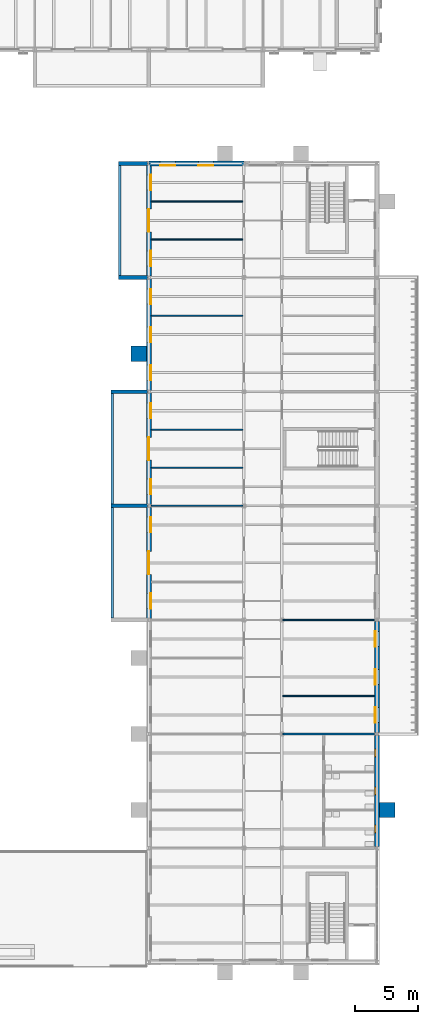
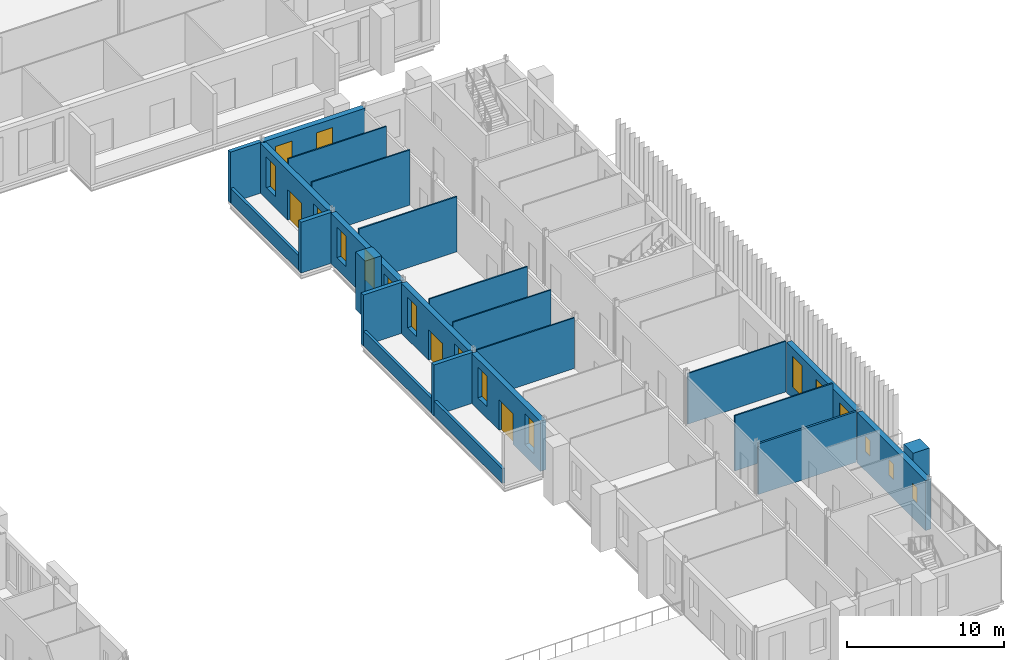
# One storey, part 88 of 134: 25 walls, 17 windows, 3 doors, 20 openings.
"""IFC4 building model written with IfcOpenShell, lengths in metres."""

from ifc_helpers import new_model, si_unit, direction, frame, frame_2d, origin, place, context, subcontext, project, spatial, rectangle, extrude, material, layer, layer_set, type_object, element, fill, save


model = new_model("IFC4")

# Units and contexts
model_context = context("Model", 3, precision=1e-05, world=origin(), true_north=direction((0.0, 1.0)))
body_context = subcontext(model_context, "Body", "Model", "MODEL_VIEW")
ifc_project = project(units=[si_unit("LENGTHUNIT", "METRE"), si_unit("AREAUNIT", "SQUARE_METRE"), si_unit("VOLUMEUNIT", "CUBIC_METRE"), si_unit("PLANEANGLEUNIT", "RADIAN"), si_unit("MASSUNIT", "GRAM", prefix="KILO")], contexts=[model_context])

# Site, building, storey
site_placement = place(None, origin())
site = spatial("IfcSite", under=ifc_project, at=site_placement, CompositionType="ELEMENT")
building_placement = place(site_placement, origin())
building = spatial("IfcBuilding", under=site, at=building_placement, Name="Golden Quay Civic Hall", CompositionType="ELEMENT")
storey_placement = place(building_placement, frame((0.0, 0.0, 5.39990234375)))
storey = spatial("IfcBuildingStorey", under=building, at=storey_placement, Name="L01", CompositionType="ELEMENT", Elevation=5.39990234375)

# Walls
ifc_material_1 = material(Name="Brick, dark clay facing", Category="masonry")
ifc_layer_1 = layer(ifc_material_1, 0.199951171875)
ifc_layer_set_1 = layer_set([ifc_layer_1], Name="Brick balustrade wall 200")
wall_type_1 = type_object("IfcWallType", Name="Brick balustrade wall 200", PredefinedType="STANDARD", material=ifc_layer_set_1)
for number, where, z_axis, x_axis, name in (
    (1, (150.1201171875, 18.14990234375, 0.0), (0.0, 0.0, 1.0), (0.0, 1.0, 0.0), "Brick balustrade wall 200 L01 4"),
    (2, (150.1201171875, 27.14990234375, 0.0), (0.0, 0.0, 1.0), (0.0, 1.0, 0.0), "Brick balustrade wall 200 L01 5"),
    (3, (150.719970703125, 45.14990234375, 0.0), (0.0, 0.0, 1.0), (0.0, 1.0, 0.0), "Brick balustrade wall 200 L01 6"),
):
    element("IfcWall", number, at=place(storey_placement, frame(where, z_axis=z_axis, x_axis=x_axis)), inside=storey, type_object=wall_type_1, Name=name, PredefinedType="STANDARD", context=body_context, shape_type="SweptSolid", body=[
        extrude(rectangle(XDim=8.7001953125, YDim=0.199951171875, at=frame_2d((4.35009765625, 0.0))), origin(), (0.0, 0.0, 1.0), 1.150146484375),
    ])

# Wall, openings, door, windows
ifc_material_2 = material(Name="Brick, dark clay facing", Category="masonry")
ifc_layer_2 = layer(ifc_material_2, 0.39990234375)
ifc_layer_set_2 = layer_set([ifc_layer_2], Name="Brick external wall 400")
wall_type_2 = type_object("IfcWallType", Name="Brick external wall 400", PredefinedType="STANDARD", material=ifc_layer_set_2)
wall_1_placement = place(storey_placement, frame((153.0, 18.114990234375, 0.0), z_axis=(0.0, 0.0, 1.0), x_axis=(0.0, 1.0, 0.0)))
wall_1 = element("IfcWall", 4, at=wall_1_placement, inside=storey, type_object=wall_type_2, Name="Brick external wall 400 L01 14", PredefinedType="STANDARD", context=body_context, shape_type="SweptSolid", body=[
    extrude(rectangle(XDim=8.77001953125, YDim=0.39990234375, at=frame_2d((4.385009765625, 0.0))), origin(), (0.0, 0.0, 1.0), 3.900146484375),
])
opening_1_placement = place(wall_1_placement, frame((3.485107421875, 0.0, 0.0)))
opening_1 = element("IfcOpeningElement", 5, at=opening_1_placement, cuts=wall_1, Name="Opening L01-D008", PredefinedType="OPENING", context=body_context, shape_type="SweptSolid", body=[
    extrude(rectangle(XDim=1.800048828125, YDim=2.39990234375, at=frame_2d((0.89990234375, 1.199951171875))), frame((0.0, 0.2099609375, 0.0), z_axis=(0.0, -1.0, 0.0), x_axis=(1.0, 0.0, 0.0)), (0.0, 0.0, 1.0), 0.419921875),
])
opening_2_placement = place(wall_1_placement, frame((0.784912109375, 0.0, 0.89990234375)))
opening_2 = element("IfcOpeningElement", 6, at=opening_2_placement, cuts=wall_1, Name="Opening WN7", PredefinedType="OPENING", context=body_context, shape_type="SweptSolid", body=[
    extrude(rectangle(XDim=1.199951171875, YDim=2.39990234375, at=frame_2d((0.60009765625, 1.199951171875))), frame((0.0, 0.2099609375, 0.0), z_axis=(0.0, -1.0, 0.0), x_axis=(1.0, 0.0, 0.0)), (0.0, 0.0, 1.0), 0.419921875),
])
opening_3_placement = place(wall_1_placement, frame((6.784912109375, 0.0, 0.89990234375)))
opening_3 = element("IfcOpeningElement", 7, at=opening_3_placement, cuts=wall_1, Name="Opening WN7", PredefinedType="OPENING", context=body_context, shape_type="SweptSolid", body=[
    extrude(rectangle(XDim=1.199951171875, YDim=2.39990234375, at=frame_2d((0.60009765625, 1.199951171875))), frame((0.0, 0.2099609375, 0.0), z_axis=(0.0, -1.0, 0.0), x_axis=(1.0, 0.0, 0.0)), (0.0, 0.0, 1.0), 0.419921875),
])
ifc_material_3 = material(Name="Aluminium frame, glazed", Category="aluminium")
door_type = type_object("IfcDoorType", Name="Glazed double terrace door 1800 x 2400", OperationType="DOUBLE_DOOR_SINGLE_SWING", PredefinedType="DOOR", material=ifc_material_3)
door_1_placement = place(opening_1_placement, origin())
door_1 = element("IfcDoor", 8, at=door_1_placement, inside=storey, type_object=door_type, Name="Door L01-D008", OperationType="DOUBLE_DOOR_SINGLE_SWING", OverallHeight=2.39990234375, OverallWidth=1.800048828125, PredefinedType="DOOR", context=body_context, shape_type="SweptSolid", body=[
    extrude(rectangle(XDim=1.800048828125, YDim=2.39990234375, at=frame_2d((0.89990234375, 1.199951171875))), frame((0.0, 0.02490234375, 0.0), z_axis=(0.0, -1.0, 0.0), x_axis=(1.0, 0.0, 0.0)), (0.0, 0.0, 1.0), 0.050048828125),
])
fill(opening_1, door_1)
ifc_material_4 = material(Name="Aluminium frame, double glazed", Category="aluminium")
window_type_1 = type_object("IfcWindowType", Name="Window 1200 x 2400", PartitioningType="SINGLE_PANEL", PredefinedType="WINDOW", material=ifc_material_4)
window_1_placement = place(opening_2_placement, origin())
window_1 = element("IfcWindow", 9, at=window_1_placement, inside=storey, type_object=window_type_1, Name="Window 1200 x 2400 L01 30", OverallHeight=2.39990234375, OverallWidth=1.199951171875, PartitioningType="SINGLE_PANEL", PredefinedType="WINDOW", context=body_context, shape_type="SweptSolid", body=[
    extrude(rectangle(XDim=1.199951171875, YDim=2.39990234375, at=frame_2d((0.60009765625, 1.199951171875))), frame((0.0, -0.119873046875, 0.0), z_axis=(0.0, -1.0, 0.0), x_axis=(1.0, 0.0, 0.0)), (0.0, 0.0, 1.0), 0.06005859375),
])
fill(opening_2, window_1)
window_2_placement = place(opening_3_placement, origin())
window_2 = element("IfcWindow", 10, at=window_2_placement, inside=storey, type_object=window_type_1, Name="Window 1200 x 2400 L01 31", OverallHeight=2.39990234375, OverallWidth=1.199951171875, PartitioningType="SINGLE_PANEL", PredefinedType="WINDOW", context=body_context, shape_type="SweptSolid", body=[
    extrude(rectangle(XDim=1.199951171875, YDim=2.39990234375, at=frame_2d((0.60009765625, 1.199951171875))), frame((0.0, -0.119873046875, 0.0), z_axis=(0.0, -1.0, 0.0), x_axis=(1.0, 0.0, 0.0)), (0.0, 0.0, 1.0), 0.06005859375),
])
fill(opening_3, window_2)

wall_2_placement = place(storey_placement, frame((153.0, 27.114990234375, 0.0), z_axis=(0.0, 0.0, 1.0), x_axis=(0.0, 1.0, 0.0)))
wall_2 = element("IfcWall", 11, at=wall_2_placement, inside=storey, type_object=wall_type_2, Name="Brick external wall 400 L01 15", PredefinedType="STANDARD", context=body_context, shape_type="SweptSolid", body=[
    extrude(rectangle(XDim=8.77001953125, YDim=0.39990234375, at=frame_2d((4.385009765625, 0.0))), origin(), (0.0, 0.0, 1.0), 3.900146484375),
])
opening_4_placement = place(wall_2_placement, frame((3.485107421875, 0.0, 0.0)))
opening_4 = element("IfcOpeningElement", 12, at=opening_4_placement, cuts=wall_2, Name="Opening L01-D009", PredefinedType="OPENING", context=body_context, shape_type="SweptSolid", body=[
    extrude(rectangle(XDim=1.800048828125, YDim=2.39990234375, at=frame_2d((0.89990234375, 1.199951171875))), frame((0.0, 0.2099609375, 0.0), z_axis=(0.0, -1.0, 0.0), x_axis=(1.0, 0.0, 0.0)), (0.0, 0.0, 1.0), 0.419921875),
])
opening_5_placement = place(wall_2_placement, frame((0.784912109375, 0.0, 0.89990234375)))
opening_5 = element("IfcOpeningElement", 13, at=opening_5_placement, cuts=wall_2, Name="Opening WN7", PredefinedType="OPENING", context=body_context, shape_type="SweptSolid", body=[
    extrude(rectangle(XDim=1.199951171875, YDim=2.39990234375, at=frame_2d((0.60009765625, 1.199951171875))), frame((0.0, 0.2099609375, 0.0), z_axis=(0.0, -1.0, 0.0), x_axis=(1.0, 0.0, 0.0)), (0.0, 0.0, 1.0), 0.419921875),
])
opening_6_placement = place(wall_2_placement, frame((6.784912109375, 0.0, 0.89990234375)))
opening_6 = element("IfcOpeningElement", 14, at=opening_6_placement, cuts=wall_2, Name="Opening WN7", PredefinedType="OPENING", context=body_context, shape_type="SweptSolid", body=[
    extrude(rectangle(XDim=1.199951171875, YDim=2.39990234375, at=frame_2d((0.60009765625, 1.199951171875))), frame((0.0, 0.2099609375, 0.0), z_axis=(0.0, -1.0, 0.0), x_axis=(1.0, 0.0, 0.0)), (0.0, 0.0, 1.0), 0.419921875),
])
door_2_placement = place(opening_4_placement, origin())
door_2 = element("IfcDoor", 15, at=door_2_placement, inside=storey, type_object=door_type, Name="Door L01-D009", OperationType="DOUBLE_DOOR_SINGLE_SWING", OverallHeight=2.39990234375, OverallWidth=1.800048828125, PredefinedType="DOOR", context=body_context, shape_type="SweptSolid", body=[
    extrude(rectangle(XDim=1.800048828125, YDim=2.39990234375, at=frame_2d((0.89990234375, 1.199951171875))), frame((0.0, 0.02490234375, 0.0), z_axis=(0.0, -1.0, 0.0), x_axis=(1.0, 0.0, 0.0)), (0.0, 0.0, 1.0), 0.050048828125),
])
fill(opening_4, door_2)
window_3_placement = place(opening_5_placement, origin())
window_3 = element("IfcWindow", 16, at=window_3_placement, inside=storey, type_object=window_type_1, Name="Window 1200 x 2400 L01 32", OverallHeight=2.39990234375, OverallWidth=1.199951171875, PartitioningType="SINGLE_PANEL", PredefinedType="WINDOW", context=body_context, shape_type="SweptSolid", body=[
    extrude(rectangle(XDim=1.199951171875, YDim=2.39990234375, at=frame_2d((0.60009765625, 1.199951171875))), frame((0.0, -0.119873046875, 0.0), z_axis=(0.0, -1.0, 0.0), x_axis=(1.0, 0.0, 0.0)), (0.0, 0.0, 1.0), 0.06005859375),
])
fill(opening_5, window_3)
window_4_placement = place(opening_6_placement, origin())
window_4 = element("IfcWindow", 17, at=window_4_placement, inside=storey, type_object=window_type_1, Name="Window 1200 x 2400 L01 33", OverallHeight=2.39990234375, OverallWidth=1.199951171875, PartitioningType="SINGLE_PANEL", PredefinedType="WINDOW", context=body_context, shape_type="SweptSolid", body=[
    extrude(rectangle(XDim=1.199951171875, YDim=2.39990234375, at=frame_2d((0.60009765625, 1.199951171875))), frame((0.0, -0.119873046875, 0.0), z_axis=(0.0, -1.0, 0.0), x_axis=(1.0, 0.0, 0.0)), (0.0, 0.0, 1.0), 0.06005859375),
])
fill(opening_6, window_4)

# Wall, openings, windows
wall_3_placement = place(storey_placement, frame((153.0, 36.114990234375, 0.0), z_axis=(0.0, 0.0, 1.0), x_axis=(0.0, 1.0, 0.0)))
wall_3 = element("IfcWall", 18, at=wall_3_placement, inside=storey, type_object=wall_type_2, Name="Brick external wall 400 L01 16", PredefinedType="STANDARD", context=body_context, shape_type="SweptSolid", body=[
    extrude(rectangle(XDim=8.77001953125, YDim=0.39990234375, at=frame_2d((4.385009765625, 0.0))), origin(), (0.0, 0.0, 1.0), 3.900146484375),
])
opening_7_placement = place(wall_3_placement, frame((0.784912109375, 0.0, 0.89990234375)))
opening_7 = element("IfcOpeningElement", 19, at=opening_7_placement, cuts=wall_3, Name="Opening WN7", PredefinedType="OPENING", context=body_context, shape_type="SweptSolid", body=[
    extrude(rectangle(XDim=1.199951171875, YDim=2.39990234375, at=frame_2d((0.60009765625, 1.199951171875))), frame((0.0, 0.2099609375, 0.0), z_axis=(0.0, -1.0, 0.0), x_axis=(1.0, 0.0, 0.0)), (0.0, 0.0, 1.0), 0.419921875),
])
opening_8_placement = place(wall_3_placement, frame((3.784912109375, 0.0, 0.89990234375)))
opening_8 = element("IfcOpeningElement", 20, at=opening_8_placement, cuts=wall_3, Name="Opening WN7", PredefinedType="OPENING", context=body_context, shape_type="SweptSolid", body=[
    extrude(rectangle(XDim=1.199951171875, YDim=2.39990234375, at=frame_2d((0.60009765625, 1.199951171875))), frame((0.0, 0.2099609375, 0.0), z_axis=(0.0, -1.0, 0.0), x_axis=(1.0, 0.0, 0.0)), (0.0, 0.0, 1.0), 0.419921875),
])
opening_9_placement = place(wall_3_placement, frame((6.784912109375, 0.0, 0.89990234375)))
opening_9 = element("IfcOpeningElement", 21, at=opening_9_placement, cuts=wall_3, Name="Opening WN7", PredefinedType="OPENING", context=body_context, shape_type="SweptSolid", body=[
    extrude(rectangle(XDim=1.199951171875, YDim=2.39990234375, at=frame_2d((0.60009765625, 1.199951171875))), frame((0.0, 0.2099609375, 0.0), z_axis=(0.0, -1.0, 0.0), x_axis=(1.0, 0.0, 0.0)), (0.0, 0.0, 1.0), 0.419921875),
])
window_5_placement = place(opening_7_placement, origin())
window_5 = element("IfcWindow", 22, at=window_5_placement, inside=storey, type_object=window_type_1, Name="Window 1200 x 2400 L01 34", OverallHeight=2.39990234375, OverallWidth=1.199951171875, PartitioningType="SINGLE_PANEL", PredefinedType="WINDOW", context=body_context, shape_type="SweptSolid", body=[
    extrude(rectangle(XDim=1.199951171875, YDim=2.39990234375, at=frame_2d((0.60009765625, 1.199951171875))), frame((0.0, -0.119873046875, 0.0), z_axis=(0.0, -1.0, 0.0), x_axis=(1.0, 0.0, 0.0)), (0.0, 0.0, 1.0), 0.06005859375),
])
fill(opening_7, window_5)
window_6_placement = place(opening_8_placement, origin())
window_6 = element("IfcWindow", 23, at=window_6_placement, inside=storey, type_object=window_type_1, Name="Window 1200 x 2400 L01 35", OverallHeight=2.39990234375, OverallWidth=1.199951171875, PartitioningType="SINGLE_PANEL", PredefinedType="WINDOW", context=body_context, shape_type="SweptSolid", body=[
    extrude(rectangle(XDim=1.199951171875, YDim=2.39990234375, at=frame_2d((0.60009765625, 1.199951171875))), frame((0.0, -0.119873046875, 0.0), z_axis=(0.0, -1.0, 0.0), x_axis=(1.0, 0.0, 0.0)), (0.0, 0.0, 1.0), 0.06005859375),
])
fill(opening_8, window_6)
window_7_placement = place(opening_9_placement, origin())
window_7 = element("IfcWindow", 24, at=window_7_placement, inside=storey, type_object=window_type_1, Name="Window 1200 x 2400 L01 36", OverallHeight=2.39990234375, OverallWidth=1.199951171875, PartitioningType="SINGLE_PANEL", PredefinedType="WINDOW", context=body_context, shape_type="SweptSolid", body=[
    extrude(rectangle(XDim=1.199951171875, YDim=2.39990234375, at=frame_2d((0.60009765625, 1.199951171875))), frame((0.0, -0.119873046875, 0.0), z_axis=(0.0, -1.0, 0.0), x_axis=(1.0, 0.0, 0.0)), (0.0, 0.0, 1.0), 0.06005859375),
])
fill(opening_9, window_7)

# Wall, openings, door, windows
wall_4_placement = place(storey_placement, frame((153.0, 45.114990234375, 0.0), z_axis=(0.0, 0.0, 1.0), x_axis=(0.0, 1.0, 0.0)))
wall_4 = element("IfcWall", 25, at=wall_4_placement, inside=storey, type_object=wall_type_2, Name="Brick external wall 400 L01 17", PredefinedType="STANDARD", context=body_context, shape_type="SweptSolid", body=[
    extrude(rectangle(XDim=8.77001953125, YDim=0.39990234375, at=frame_2d((4.385009765625, 0.0))), origin(), (0.0, 0.0, 1.0), 3.900146484375),
])
opening_10_placement = place(wall_4_placement, frame((3.485107421875, 0.0, 0.0)))
opening_10 = element("IfcOpeningElement", 26, at=opening_10_placement, cuts=wall_4, Name="Opening L01-D010", PredefinedType="OPENING", context=body_context, shape_type="SweptSolid", body=[
    extrude(rectangle(XDim=1.800048828125, YDim=2.39990234375, at=frame_2d((0.89990234375, 1.199951171875))), frame((0.0, 0.2099609375, 0.0), z_axis=(0.0, -1.0, 0.0), x_axis=(1.0, 0.0, 0.0)), (0.0, 0.0, 1.0), 0.419921875),
])
opening_11_placement = place(wall_4_placement, frame((0.784912109375, 0.0, 0.89990234375)))
opening_11 = element("IfcOpeningElement", 27, at=opening_11_placement, cuts=wall_4, Name="Opening WN7", PredefinedType="OPENING", context=body_context, shape_type="SweptSolid", body=[
    extrude(rectangle(XDim=1.199951171875, YDim=2.39990234375, at=frame_2d((0.60009765625, 1.199951171875))), frame((0.0, 0.2099609375, 0.0), z_axis=(0.0, -1.0, 0.0), x_axis=(1.0, 0.0, 0.0)), (0.0, 0.0, 1.0), 0.419921875),
])
opening_12_placement = place(wall_4_placement, frame((6.784912109375, 0.0, 0.89990234375)))
opening_12 = element("IfcOpeningElement", 28, at=opening_12_placement, cuts=wall_4, Name="Opening WN7", PredefinedType="OPENING", context=body_context, shape_type="SweptSolid", body=[
    extrude(rectangle(XDim=1.199951171875, YDim=2.39990234375, at=frame_2d((0.60009765625, 1.199951171875))), frame((0.0, 0.2099609375, 0.0), z_axis=(0.0, -1.0, 0.0), x_axis=(1.0, 0.0, 0.0)), (0.0, 0.0, 1.0), 0.419921875),
])
door_3_placement = place(opening_10_placement, origin())
door_3 = element("IfcDoor", 29, at=door_3_placement, inside=storey, type_object=door_type, Name="Door L01-D010", OperationType="DOUBLE_DOOR_SINGLE_SWING", OverallHeight=2.39990234375, OverallWidth=1.800048828125, PredefinedType="DOOR", context=body_context, shape_type="SweptSolid", body=[
    extrude(rectangle(XDim=1.800048828125, YDim=2.39990234375, at=frame_2d((0.89990234375, 1.199951171875))), frame((0.0, 0.02490234375, 0.0), z_axis=(0.0, -1.0, 0.0), x_axis=(1.0, 0.0, 0.0)), (0.0, 0.0, 1.0), 0.050048828125),
])
fill(opening_10, door_3)
window_8_placement = place(opening_11_placement, origin())
window_8 = element("IfcWindow", 30, at=window_8_placement, inside=storey, type_object=window_type_1, Name="Window 1200 x 2400 L01 37", OverallHeight=2.39990234375, OverallWidth=1.199951171875, PartitioningType="SINGLE_PANEL", PredefinedType="WINDOW", context=body_context, shape_type="SweptSolid", body=[
    extrude(rectangle(XDim=1.199951171875, YDim=2.39990234375, at=frame_2d((0.60009765625, 1.199951171875))), frame((0.0, -0.119873046875, 0.0), z_axis=(0.0, -1.0, 0.0), x_axis=(1.0, 0.0, 0.0)), (0.0, 0.0, 1.0), 0.06005859375),
])
fill(opening_11, window_8)
window_9_placement = place(opening_12_placement, origin())
window_9 = element("IfcWindow", 31, at=window_9_placement, inside=storey, type_object=window_type_1, Name="Window 1200 x 2400 L01 38", OverallHeight=2.39990234375, OverallWidth=1.199951171875, PartitioningType="SINGLE_PANEL", PredefinedType="WINDOW", context=body_context, shape_type="SweptSolid", body=[
    extrude(rectangle(XDim=1.199951171875, YDim=2.39990234375, at=frame_2d((0.60009765625, 1.199951171875))), frame((0.0, -0.119873046875, 0.0), z_axis=(0.0, -1.0, 0.0), x_axis=(1.0, 0.0, 0.0)), (0.0, 0.0, 1.0), 0.06005859375),
])
fill(opening_12, window_9)

# Wall, openings, windows
wall_5_placement = place(storey_placement, frame((153.0087890625, 54.0, 0.0), z_axis=(0.0, 0.0, 1.0), x_axis=(1.0, 0.0, 0.0)))
wall_5 = element("IfcWall", 32, at=wall_5_placement, inside=storey, type_object=wall_type_2, Name="Brick external wall 400 L01 18", PredefinedType="STANDARD", context=body_context, shape_type="SweptSolid", body=[
    extrude(rectangle(XDim=7.482421875, YDim=0.39990234375, at=frame_2d((3.7412109375, 0.0))), origin(), (0.0, 0.0, 1.0), 3.97021484375),
])
opening_13_placement = place(wall_5_placement, frame((0.891357421875, 0.0, 0.89990234375)))
opening_13 = element("IfcOpeningElement", 33, at=opening_13_placement, cuts=wall_5, Name="Opening WN7", PredefinedType="OPENING", context=body_context, shape_type="SweptSolid", body=[
    extrude(rectangle(XDim=1.199951171875, YDim=2.39990234375, at=frame_2d((0.60009765625, 1.199951171875))), frame((0.0, 0.2099609375, 0.0), z_axis=(0.0, -1.0, 0.0), x_axis=(1.0, 0.0, 0.0)), (0.0, 0.0, 1.0), 0.419921875),
])
opening_14_placement = place(wall_5_placement, frame((3.891357421875, 0.0, 0.89990234375)))
opening_14 = element("IfcOpeningElement", 34, at=opening_14_placement, cuts=wall_5, Name="Opening WN7", PredefinedType="OPENING", context=body_context, shape_type="SweptSolid", body=[
    extrude(rectangle(XDim=1.199951171875, YDim=2.39990234375, at=frame_2d((0.60009765625, 1.199951171875))), frame((0.0, 0.2099609375, 0.0), z_axis=(0.0, -1.0, 0.0), x_axis=(1.0, 0.0, 0.0)), (0.0, 0.0, 1.0), 0.419921875),
])
window_10_placement = place(opening_13_placement, origin())
window_10 = element("IfcWindow", 35, at=window_10_placement, inside=storey, type_object=window_type_1, Name="Window 1200 x 2400 L01 39", OverallHeight=2.39990234375, OverallWidth=1.199951171875, PartitioningType="SINGLE_PANEL", PredefinedType="WINDOW", context=body_context, shape_type="SweptSolid", body=[
    extrude(rectangle(XDim=1.199951171875, YDim=2.39990234375, at=frame_2d((0.60009765625, 1.199951171875))), frame((0.0, -0.119873046875, 0.0), z_axis=(0.0, -1.0, 0.0), x_axis=(1.0, 0.0, 0.0)), (0.0, 0.0, 1.0), 0.06005859375),
])
fill(opening_13, window_10)
window_11_placement = place(opening_14_placement, origin())
window_11 = element("IfcWindow", 36, at=window_11_placement, inside=storey, type_object=window_type_1, Name="Window 1200 x 2400 L01 40", OverallHeight=2.39990234375, OverallWidth=1.199951171875, PartitioningType="SINGLE_PANEL", PredefinedType="WINDOW", context=body_context, shape_type="SweptSolid", body=[
    extrude(rectangle(XDim=1.199951171875, YDim=2.39990234375, at=frame_2d((0.60009765625, 1.199951171875))), frame((0.0, -0.119873046875, 0.0), z_axis=(0.0, -1.0, 0.0), x_axis=(1.0, 0.0, 0.0)), (0.0, 0.0, 1.0), 0.06005859375),
])
fill(opening_14, window_11)

wall_6_placement = place(storey_placement, frame((171.0, 8.885009765625, 0.0), z_axis=(0.0, 0.0, 1.0), x_axis=(0.0, -1.0, 0.0)))
wall_6 = element("IfcWall", 37, at=wall_6_placement, inside=storey, type_object=wall_type_2, Name="Brick external wall 400 L01 20", PredefinedType="STANDARD", context=body_context, shape_type="SweptSolid", body=[
    extrude(rectangle(XDim=8.77001953125, YDim=0.39990234375, at=frame_2d((4.385009765625, 0.0))), origin(), (0.0, 0.0, 1.0), 3.900146484375),
])
opening_15_placement = place(wall_6_placement, frame((7.0849609375, 0.0, 1.5)))
opening_15 = element("IfcOpeningElement", 38, at=opening_15_placement, cuts=wall_6, Name="Opening WN1", PredefinedType="OPENING", context=body_context, shape_type="SweptSolid", body=[
    extrude(rectangle(XDim=0.60009765625, YDim=1.199951171875, at=frame_2d((0.300048828125, 0.60009765625))), frame((0.0, 0.2099609375, 0.0), z_axis=(0.0, -1.0, 0.0), x_axis=(1.0, 0.0, 0.0)), (0.0, 0.0, 1.0), 0.419921875),
])
opening_16_placement = place(wall_6_placement, frame((4.0849609375, 0.0, 1.5)))
opening_16 = element("IfcOpeningElement", 39, at=opening_16_placement, cuts=wall_6, Name="Opening WN1", PredefinedType="OPENING", context=body_context, shape_type="SweptSolid", body=[
    extrude(rectangle(XDim=0.60009765625, YDim=1.199951171875, at=frame_2d((0.300048828125, 0.60009765625))), frame((0.0, 0.2099609375, 0.0), z_axis=(0.0, -1.0, 0.0), x_axis=(1.0, 0.0, 0.0)), (0.0, 0.0, 1.0), 0.419921875),
])
opening_17_placement = place(wall_6_placement, frame((1.0849609375, 0.0, 1.5)))
opening_17 = element("IfcOpeningElement", 40, at=opening_17_placement, cuts=wall_6, Name="Opening WN1", PredefinedType="OPENING", context=body_context, shape_type="SweptSolid", body=[
    extrude(rectangle(XDim=0.60009765625, YDim=1.199951171875, at=frame_2d((0.300048828125, 0.60009765625))), frame((0.0, 0.2099609375, 0.0), z_axis=(0.0, -1.0, 0.0), x_axis=(1.0, 0.0, 0.0)), (0.0, 0.0, 1.0), 0.419921875),
])
ifc_material_5 = material(Name="Aluminium frame, double glazed", Category="aluminium")
window_type_2 = type_object("IfcWindowType", Name="WC window 600 x 1200", PartitioningType="SINGLE_PANEL", PredefinedType="WINDOW", material=ifc_material_5)
window_12_placement = place(opening_15_placement, origin())
window_12 = element("IfcWindow", 41, at=window_12_placement, inside=storey, type_object=window_type_2, Name="WC window 600 x 1200 L01 16", OverallHeight=1.199951171875, OverallWidth=0.60009765625, PartitioningType="SINGLE_PANEL", PredefinedType="WINDOW", context=body_context, shape_type="SweptSolid", body=[
    extrude(rectangle(XDim=0.60009765625, YDim=1.199951171875, at=frame_2d((0.300048828125, 0.60009765625))), frame((0.0, -0.119873046875, 0.0), z_axis=(0.0, -1.0, 0.0), x_axis=(1.0, 0.0, 0.0)), (0.0, 0.0, 1.0), 0.06005859375),
])
fill(opening_15, window_12)
window_13_placement = place(opening_16_placement, origin())
window_13 = element("IfcWindow", 42, at=window_13_placement, inside=storey, type_object=window_type_2, Name="WC window 600 x 1200 L01 17", OverallHeight=1.199951171875, OverallWidth=0.60009765625, PartitioningType="SINGLE_PANEL", PredefinedType="WINDOW", context=body_context, shape_type="SweptSolid", body=[
    extrude(rectangle(XDim=0.60009765625, YDim=1.199951171875, at=frame_2d((0.300048828125, 0.60009765625))), frame((0.0, -0.119873046875, 0.0), z_axis=(0.0, -1.0, 0.0), x_axis=(1.0, 0.0, 0.0)), (0.0, 0.0, 1.0), 0.06005859375),
])
fill(opening_16, window_13)
window_14_placement = place(opening_17_placement, origin())
window_14 = element("IfcWindow", 43, at=window_14_placement, inside=storey, type_object=window_type_2, Name="WC window 600 x 1200 L01 18", OverallHeight=1.199951171875, OverallWidth=0.60009765625, PartitioningType="SINGLE_PANEL", PredefinedType="WINDOW", context=body_context, shape_type="SweptSolid", body=[
    extrude(rectangle(XDim=0.60009765625, YDim=1.199951171875, at=frame_2d((0.300048828125, 0.60009765625))), frame((0.0, -0.119873046875, 0.0), z_axis=(0.0, -1.0, 0.0), x_axis=(1.0, 0.0, 0.0)), (0.0, 0.0, 1.0), 0.06005859375),
])
fill(opening_17, window_14)

wall_7_placement = place(storey_placement, frame((171.0, 17.885009765625, 0.0), z_axis=(0.0, 0.0, 1.0), x_axis=(0.0, -1.0, 0.0)))
wall_7 = element("IfcWall", 44, at=wall_7_placement, inside=storey, type_object=wall_type_2, Name="Brick external wall 400 L01 21", PredefinedType="STANDARD", context=body_context, shape_type="SweptSolid", body=[
    extrude(rectangle(XDim=8.77001953125, YDim=0.39990234375, at=frame_2d((4.385009765625, 0.0))), origin(), (0.0, 0.0, 1.0), 3.900146484375),
])
opening_18_placement = place(wall_7_placement, frame((6.784912109375, 0.0, 0.89990234375)))
opening_18 = element("IfcOpeningElement", 45, at=opening_18_placement, cuts=wall_7, Name="Opening WN7", PredefinedType="OPENING", context=body_context, shape_type="SweptSolid", body=[
    extrude(rectangle(XDim=1.199951171875, YDim=2.39990234375, at=frame_2d((0.60009765625, 1.199951171875))), frame((0.0, 0.2099609375, 0.0), z_axis=(0.0, -1.0, 0.0), x_axis=(1.0, 0.0, 0.0)), (0.0, 0.0, 1.0), 0.419921875),
])
opening_19_placement = place(wall_7_placement, frame((3.784912109375, 0.0, 0.89990234375)))
opening_19 = element("IfcOpeningElement", 46, at=opening_19_placement, cuts=wall_7, Name="Opening WN7", PredefinedType="OPENING", context=body_context, shape_type="SweptSolid", body=[
    extrude(rectangle(XDim=1.199951171875, YDim=2.39990234375, at=frame_2d((0.60009765625, 1.199951171875))), frame((0.0, 0.2099609375, 0.0), z_axis=(0.0, -1.0, 0.0), x_axis=(1.0, 0.0, 0.0)), (0.0, 0.0, 1.0), 0.419921875),
])
opening_20_placement = place(wall_7_placement, frame((0.784912109375, 0.0, 0.89990234375)))
opening_20 = element("IfcOpeningElement", 47, at=opening_20_placement, cuts=wall_7, Name="Opening WN7", PredefinedType="OPENING", context=body_context, shape_type="SweptSolid", body=[
    extrude(rectangle(XDim=1.199951171875, YDim=2.39990234375, at=frame_2d((0.60009765625, 1.199951171875))), frame((0.0, 0.2099609375, 0.0), z_axis=(0.0, -1.0, 0.0), x_axis=(1.0, 0.0, 0.0)), (0.0, 0.0, 1.0), 0.419921875),
])
window_15_placement = place(opening_18_placement, origin())
window_15 = element("IfcWindow", 48, at=window_15_placement, inside=storey, type_object=window_type_1, Name="Window 1200 x 2400 L01 41", OverallHeight=2.39990234375, OverallWidth=1.199951171875, PartitioningType="SINGLE_PANEL", PredefinedType="WINDOW", context=body_context, shape_type="SweptSolid", body=[
    extrude(rectangle(XDim=1.199951171875, YDim=2.39990234375, at=frame_2d((0.60009765625, 1.199951171875))), frame((0.0, -0.119873046875, 0.0), z_axis=(0.0, -1.0, 0.0), x_axis=(1.0, 0.0, 0.0)), (0.0, 0.0, 1.0), 0.06005859375),
])
fill(opening_18, window_15)
window_16_placement = place(opening_19_placement, origin())
window_16 = element("IfcWindow", 49, at=window_16_placement, inside=storey, type_object=window_type_1, Name="Window 1200 x 2400 L01 42", OverallHeight=2.39990234375, OverallWidth=1.199951171875, PartitioningType="SINGLE_PANEL", PredefinedType="WINDOW", context=body_context, shape_type="SweptSolid", body=[
    extrude(rectangle(XDim=1.199951171875, YDim=2.39990234375, at=frame_2d((0.60009765625, 1.199951171875))), frame((0.0, -0.119873046875, 0.0), z_axis=(0.0, -1.0, 0.0), x_axis=(1.0, 0.0, 0.0)), (0.0, 0.0, 1.0), 0.06005859375),
])
fill(opening_19, window_16)
window_17_placement = place(opening_20_placement, origin())
window_17 = element("IfcWindow", 50, at=window_17_placement, inside=storey, type_object=window_type_1, Name="Window 1200 x 2400 L01 43", OverallHeight=2.39990234375, OverallWidth=1.199951171875, PartitioningType="SINGLE_PANEL", PredefinedType="WINDOW", context=body_context, shape_type="SweptSolid", body=[
    extrude(rectangle(XDim=1.199951171875, YDim=2.39990234375, at=frame_2d((0.60009765625, 1.199951171875))), frame((0.0, -0.119873046875, 0.0), z_axis=(0.0, -1.0, 0.0), x_axis=(1.0, 0.0, 0.0)), (0.0, 0.0, 1.0), 0.06005859375),
])
fill(opening_20, window_17)

# Walls
ifc_material_6 = material(Name="Brick, dark clay facing", Category="masonry")
ifc_layer_3 = layer(ifc_material_6, 0.300048828125)
ifc_layer_set_3 = layer_set([ifc_layer_3], Name="Brick loggia wall 300")
wall_type_3 = type_object("IfcWallType", Name="Brick loggia wall 300", PredefinedType="STANDARD", material=ifc_layer_set_3)
for number, where, z_axis, x_axis, name in (
    (51, (152.8798828125, 27.0, 0.0), (0.0, 0.0, 1.0), (-1.0, 0.0, 0.0), "Brick loggia wall 300 L01 7"),
    (52, (152.8798828125, 36.0, 0.0), (0.0, 0.0, 1.0), (-1.0, 0.0, 0.0), "Brick loggia wall 300 L01 8"),
):
    element("IfcWall", number, at=place(storey_placement, frame(where, z_axis=z_axis, x_axis=x_axis)), inside=storey, type_object=wall_type_3, Name=name, PredefinedType="STANDARD", context=body_context, shape_type="SweptSolid", body=[
        extrude(rectangle(XDim=2.8798828125, YDim=0.300048828125, at=frame_2d((1.43994140625, 0.0))), origin(), (0.0, 0.0, 1.0), 3.97021484375),
    ])
for number, where, z_axis, x_axis, name in (
    (53, (152.8798828125, 45.0, 0.0), (0.0, 0.0, 1.0), (-1.0, 0.0, 0.0), "Brick loggia wall 300 L01 9"),
    (54, (152.8798828125, 54.0, 0.0), (0.0, 0.0, 1.0), (-1.0, 0.0, 0.0), "Brick loggia wall 300 L01 10"),
):
    element("IfcWall", number, at=place(storey_placement, frame(where, z_axis=z_axis, x_axis=x_axis)), inside=storey, type_object=wall_type_3, Name=name, PredefinedType="STANDARD", context=body_context, shape_type="SweptSolid", body=[
        extrude(rectangle(XDim=2.27978515625, YDim=0.300048828125, at=frame_2d((1.139892578125, 0.0))), origin(), (0.0, 0.0, 1.0), 3.97021484375),
    ])
ifc_material_7 = material(Name="Brick, dark clay facing", Category="masonry")
ifc_layer_4 = layer(ifc_material_7, 1.199951171875)
ifc_layer_set_4 = layer_set([ifc_layer_4], Name="Brick pilaster 1200 x 1200")
wall_type_4 = type_object("IfcWallType", Name="Brick pilaster 1200 x 1200", PredefinedType="STANDARD", material=ifc_layer_set_4)
for number, where, z_axis, x_axis, name in (
    (55, (152.199951171875, 38.39990234375, 0.0), (0.0, 0.0, 1.0), (0.0, 1.0, 0.0), "Brick pilaster 1200 x 1200 L01 9"),
    (56, (171.800048828125, 2.39990234375, 0.0), (0.0, 0.0, 1.0), (0.0, 1.0, 0.0), "Brick pilaster 1200 x 1200 L01 12"),
):
    element("IfcWall", number, at=place(storey_placement, frame(where, z_axis=z_axis, x_axis=x_axis)), inside=storey, type_object=wall_type_4, Name=name, PredefinedType="STANDARD", context=body_context, shape_type="SweptSolid", body=[
        extrude(rectangle(XDim=1.2001953125, YDim=1.199951171875, at=frame_2d((0.60009765625, 0.0))), origin(), (0.0, 0.0, 1.0), 4.5),
    ])
ifc_material_8 = material(Name="Plasterboard on steel studs", Category="steel")
ifc_layer_5 = layer(ifc_material_8, 0.10009765625)
ifc_layer_set_5 = layer_set([ifc_layer_5], Name="Partition 100 stud")
wall_type_5 = type_object("IfcWallType", Name="Partition 100 stud", PredefinedType="PARTITIONING", material=ifc_layer_set_5)
wall_8_placement = place(storey_placement, frame((163.574951171875, 12.0, 0.0), z_axis=(0.0, 0.0, 1.0), x_axis=(1.0, 0.0, 0.0)))
element("IfcWall", 57, at=wall_8_placement, inside=storey, type_object=wall_type_5, Name="Partition L01-001", PredefinedType="PARTITIONING", context=body_context, shape_type="SweptSolid", body=[
    extrude(rectangle(XDim=7.22509765625, YDim=0.10009765625, at=frame_2d((3.612548828125, 0.0))), origin(), (0.0, 0.0, 1.0), 4.300048828125),
])
for number, where, z_axis, x_axis, name in (
    (58, (163.574951171875, 18.0, 0.0), (0.0, 0.0, 1.0), (1.0, 0.0, 0.0), "Partition L01-002"),
    (59, (153.199951171875, 27.0, 0.0), (0.0, 0.0, 1.0), (1.0, 0.0, 0.0), "Partition L01-015"),
):
    element("IfcWall", number, at=place(storey_placement, frame(where, z_axis=z_axis, x_axis=x_axis)), inside=storey, type_object=wall_type_5, Name=name, PredefinedType="PARTITIONING", context=body_context, shape_type="SweptSolid", body=[
        extrude(rectangle(XDim=7.22509765625, YDim=0.10009765625, at=frame_2d((3.612548828125, 0.0))), origin(), (0.0, 0.0, 1.0), 3.9501953125),
    ])
for number, where, z_axis, x_axis, name in (
    (60, (153.199951171875, 30.0, 0.0), (0.0, 0.0, 1.0), (1.0, 0.0, 0.0), "Partition L01-016"),
    (61, (153.199951171875, 33.0, 0.0), (0.0, 0.0, 1.0), (1.0, 0.0, 0.0), "Partition L01-017"),
    (62, (153.199951171875, 42.0, 0.0), (0.0, 0.0, 1.0), (1.0, 0.0, 0.0), "Partition L01-018"),
    (63, (153.199951171875, 48.0, 0.0), (0.0, 0.0, 1.0), (1.0, 0.0, 0.0), "Partition L01-019"),
    (64, (153.199951171875, 51.0, 0.0), (0.0, 0.0, 1.0), (1.0, 0.0, 0.0), "Partition L01-020"),
):
    element("IfcWall", number, at=place(storey_placement, frame(where, z_axis=z_axis, x_axis=x_axis)), inside=storey, type_object=wall_type_5, Name=name, PredefinedType="PARTITIONING", context=body_context, shape_type="SweptSolid", body=[
        extrude(rectangle(XDim=7.22509765625, YDim=0.10009765625, at=frame_2d((3.612548828125, 0.0))), origin(), (0.0, 0.0, 1.0), 4.300048828125),
    ])
ifc_material_9 = material(Name="Plasterboard on steel studs", Category="steel")
ifc_layer_6 = layer(ifc_material_9, 0.14990234375)
ifc_layer_set_6 = layer_set([ifc_layer_6], Name="Partition 150 stud fire EI 60")
wall_type_6 = type_object("IfcWallType", Name="Partition 150 stud fire EI 60", PredefinedType="PARTITIONING", material=ifc_layer_set_6)
wall_9_placement = place(storey_placement, frame((163.574951171875, 9.0, 0.0), z_axis=(0.0, 0.0, 1.0), x_axis=(1.0, 0.0, 0.0)))
element("IfcWall", 65, at=wall_9_placement, inside=storey, type_object=wall_type_6, Name="Partition L01-000", PredefinedType="PARTITIONING", context=body_context, shape_type="SweptSolid", body=[
    extrude(rectangle(XDim=7.22509765625, YDim=0.14990234375, at=frame_2d((3.612548828125, 0.0))), origin(), (0.0, 0.0, 1.0), 3.9501953125),
])

save(model, "model.ifc")
